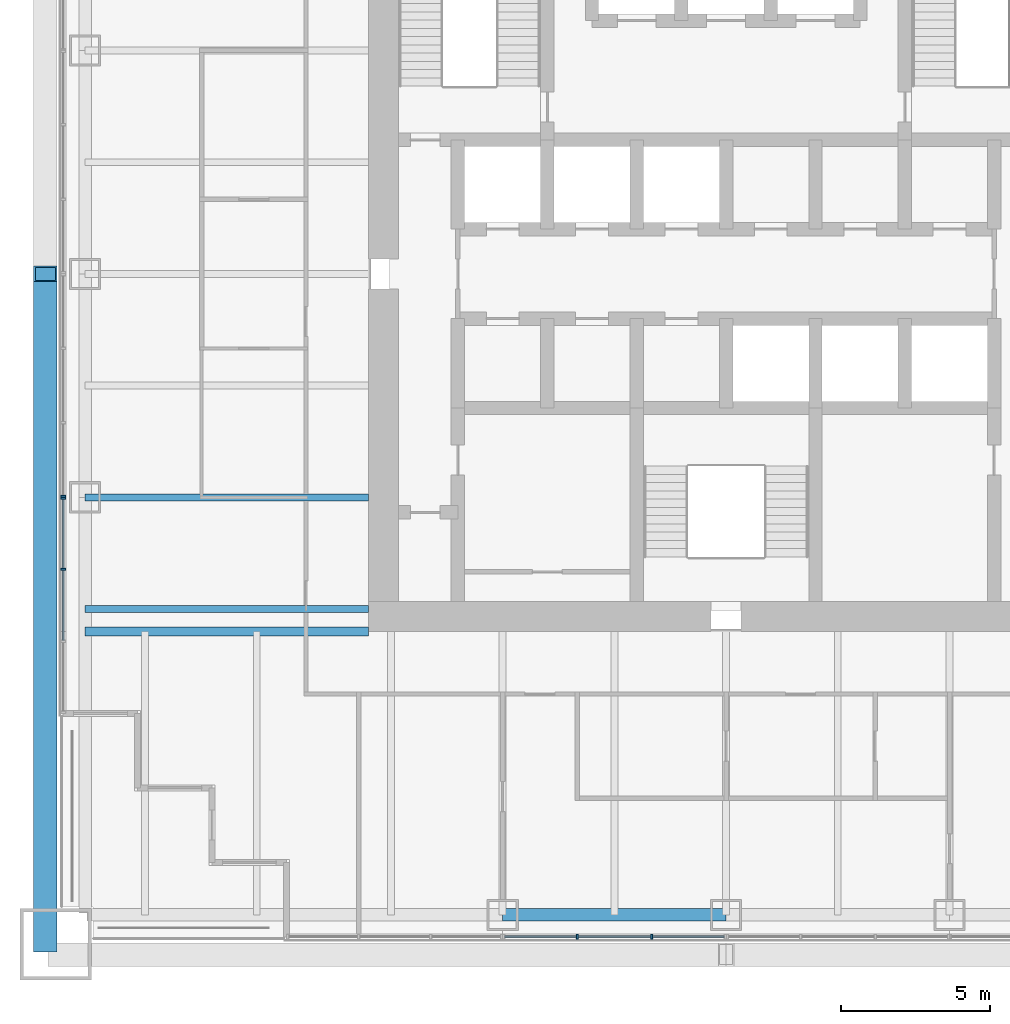
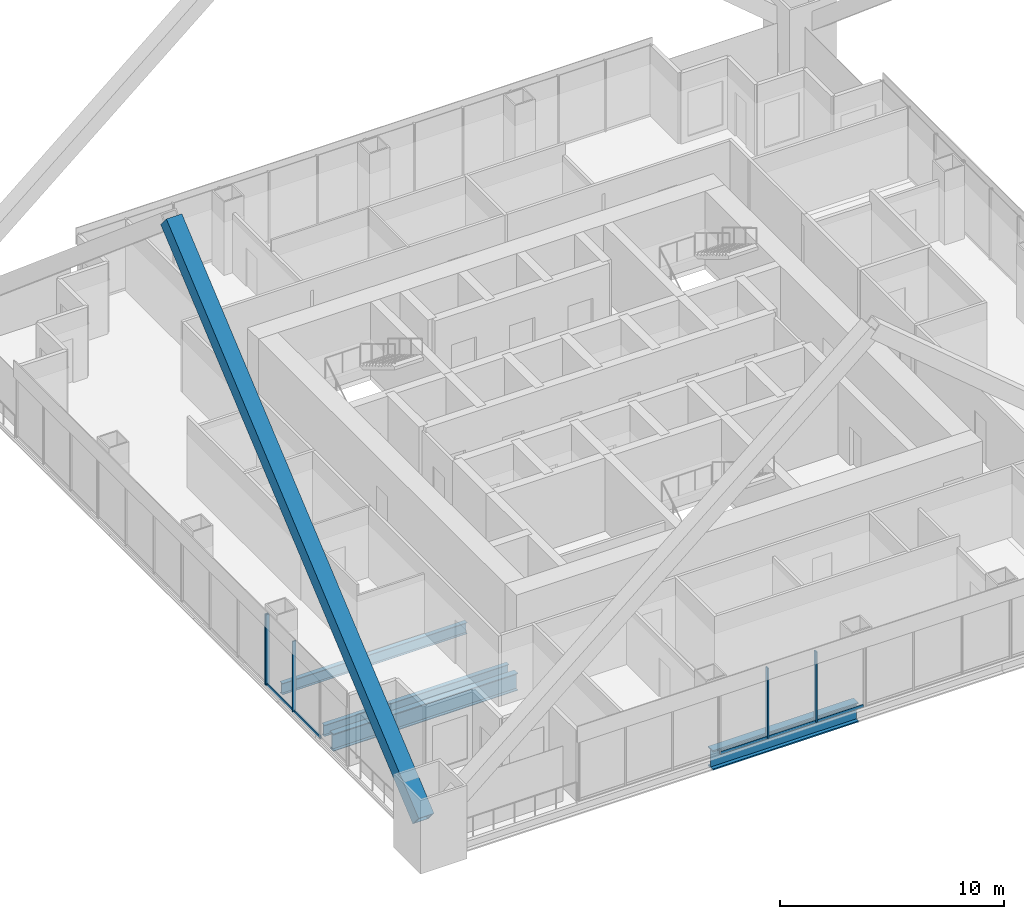
# One storey, part 3 of 19: 11 members, 4 beams, 3 elements without a shape of their own.
"""IFC4 building model written with IfcOpenShell, lengths in metres."""

import ifcopenshell
import ifcopenshell.guid

model = None  # the IFC model being written
_history = None  # IfcOwnerHistory: only IFC2X3 demands one
_inside = {}  # id of a spatial element -> (the spatial element, [elements in it])
_under = {}  # id of a project, library or spatial element -> (it, [spatial elements below it])
_declared = {}  # id of a project -> (the project, [libraries it declares])
_typed = {}  # id of a type object -> (the type object, [elements of that type])
_made_of = {}  # id of a material, layer set ... -> (it, [elements and type objects made of it])


def new_model(schema):
    """Start an empty IFC model of exactly this schema.

    Asked for "IFC4X3", IfcOpenShell would pick the latest addendum, in which some entities
    have other attributes; the version numbers below select the first issue.
    IFC2X3 requires an IfcOwnerHistory on every rooted entity: one is made here for all.
    """
    global model, _history
    if schema == "IFC4X3":
        model = ifcopenshell.file(schema_version=(4, 3, 0, 0))
    else:
        model = ifcopenshell.file(schema=schema)
    _inside.clear()
    _under.clear()
    _declared.clear()
    _typed.clear()
    _made_of.clear()
    _history = None
    if model.schema == "IFC2X3":
        org = make("IfcOrganization", Name="unknown")
        user = make(
            "IfcPersonAndOrganization",
            ThePerson=make("IfcPerson", FamilyName="unknown"),
            TheOrganization=org,
        )
        app = make(
            "IfcApplication",
            ApplicationDeveloper=org,
            Version="unknown",
            ApplicationFullName="unknown",
            ApplicationIdentifier="unknown",
        )
        _history = make(
            "IfcOwnerHistory",
            OwningUser=user,
            OwningApplication=app,
            ChangeAction="ADDED",
            CreationDate=0,
        )
    return model


def make(cls, **values):
    """One entity of the class cls with the attributes given. An attribute that is None is left unset."""
    return model.create_entity(
        cls, **{name: value for name, value in values.items() if value is not None}
    )


def rooted(cls, **values):
    """An entity with a GlobalId (a new one), such as an element, a storey or a relation."""
    return make(cls, GlobalId=ifcopenshell.guid.new(), OwnerHistory=_history, **values)


def si_unit(unit_type, name, prefix=None):
    """IfcSIUnit, for example si_unit("LENGTHUNIT", "METRE", prefix="MILLI")."""
    return make("IfcSIUnit", UnitType=unit_type, Prefix=prefix, Name=name)


def assignment(units):
    """IfcUnitAssignment: the units of a project."""
    return None if units is None else make("IfcUnitAssignment", Units=units)


def point(xyz):
    """IfcCartesianPoint."""
    return None if xyz is None else make("IfcCartesianPoint", Coordinates=xyz)


def direction(xyz):
    """IfcDirection."""
    return None if xyz is None else make("IfcDirection", DirectionRatios=xyz)


def frame(location, z_axis=None, x_axis=None):
    """IfcAxis2Placement3D, a coordinate frame: its origin and axes. An axis left out is left unset."""
    return make(
        "IfcAxis2Placement3D",
        Location=point(location),
        Axis=direction(z_axis),
        RefDirection=direction(x_axis),
    )


def frame_2d(location, x_axis=None):
    """IfcAxis2Placement2D, a coordinate frame in the plane: its origin and x axis."""
    return make(
        "IfcAxis2Placement2D", Location=point(location), RefDirection=direction(x_axis)
    )


def origin():
    """The frame at (0, 0, 0) with its axes left unset."""
    return frame((0.0, 0.0, 0.0))


def origin_2d():
    """The frame at (0, 0) in the plane with its x axis left unset."""
    return frame_2d((0.0, 0.0))


def place(relative_to, where):
    """IfcLocalPlacement: puts the frame where relative to a parent placement (None: the world)."""
    return make(
        "IfcLocalPlacement", PlacementRelTo=relative_to, RelativePlacement=where
    )


def context(
    kind, dimensions, precision=None, world=None, true_north=None, identifier=None
):
    """IfcGeometricRepresentationContext, for example the 3D "Model" context."""
    return make(
        "IfcGeometricRepresentationContext",
        ContextIdentifier=identifier,
        ContextType=kind,
        CoordinateSpaceDimension=dimensions,
        Precision=precision,
        WorldCoordinateSystem=world,
        TrueNorth=true_north,
    )


def subcontext(parent, identifier, kind, view, scale=None):
    """IfcGeometricRepresentationSubContext, for example "Body" below "Model"."""
    return make(
        "IfcGeometricRepresentationSubContext",
        ContextIdentifier=identifier,
        ContextType=kind,
        ParentContext=parent,
        TargetScale=scale,
        TargetView=view,
    )


def project(units=None, contexts=None):
    """IfcProject with its units and contexts."""
    return rooted(
        "IfcProject",
        Name="project",
        RepresentationContexts=contexts,
        UnitsInContext=assignment(units),
    )


def spatial(cls, under=None, at=None, **own):
    """A site, building, storey or space (cls), placed at a placement, below another one or the project."""
    s = rooted(cls, ObjectPlacement=at, **own)
    if under is not None:
        _under.setdefault(under.id(), (under, []))[1].append(s)
    return s


def profile(cls, at=None, kind="AREA", **sizes):
    """A parametric profile (cls). Its sizes go by their IFC names, for example OverallWidth=200.0."""
    return make(cls, ProfileType=kind, Position=at, **sizes)


def rectangle(**sizes):
    """IfcRectangleProfileDef."""
    return profile("IfcRectangleProfileDef", **sizes)


def hollow_rectangle(**sizes):
    """IfcRectangleHollowProfileDef."""
    return profile("IfcRectangleHollowProfileDef", **sizes)


def i_section(**sizes):
    """IfcIShapeProfileDef."""
    return profile("IfcIShapeProfileDef", **sizes)


def extrude(swept, where, along, depth):
    """IfcExtrudedAreaSolid: the profile swept, set in the frame where, extruded along a direction by depth."""
    return make(
        "IfcExtrudedAreaSolid",
        SweptArea=swept,
        Position=where,
        ExtrudedDirection=direction(along),
        Depth=depth,
    )


def shape(context_of_items, identifier, shape_type, items):
    """IfcShapeRepresentation: the items that make up one representation, for example the "Body"."""
    return make(
        "IfcShapeRepresentation",
        ContextOfItems=context_of_items,
        RepresentationIdentifier=identifier,
        RepresentationType=shape_type,
        Items=items,
    )


def material(Name=None, Category=None):
    """IfcMaterial."""
    return make("IfcMaterial", Name=Name, Category=Category)


def material_profile(
    of_material, cross_section, Name=None, Category=None, Priority=None
):
    """IfcMaterialProfile: a cross section and its material."""
    return make(
        "IfcMaterialProfile",
        Name=Name,
        Material=of_material,
        Profile=cross_section,
        Priority=Priority,
        Category=Category,
    )


def profile_set(profiles, Name=None, composite=None):
    """IfcMaterialProfileSet."""
    return make(
        "IfcMaterialProfileSet",
        Name=Name,
        MaterialProfiles=profiles,
        CompositeProfile=composite,
    )


def made_of(thing, what):
    """Note that an element or type object is made of a material, layer set ...; save() writes the relation."""
    if what is not None:
        _made_of.setdefault(what.id(), (what, []))[1].append(thing)
    return thing


def type_object(cls, material=None, **own):
    """A type object (cls), such as IfcWallType, which elements share."""
    return made_of(rooted(cls, **own), material)


def element(
    cls,
    number,
    at=None,
    inside=None,
    cuts=None,
    type_object=None,
    material=None,
    context=None,
    identifier="Body",
    shape_type=None,
    held_by="IfcProductDefinitionShape",
    body=None,
    shapes=None,
    **own,
):
    """One element of the class cls, such as IfcWall. Its Tag is "e" and its number.

    at: its placement. inside: the storey or other place that contains it. cuts: it is an
    opening in that element (IfcRelVoidsElement). A single representation is given by context,
    identifier, shape_type and body (its items); several are given by shapes. held_by: the class
    of the entity that holds the representations. save() writes the other relations.
    """
    e = rooted(cls, Tag="e%d" % number, ObjectPlacement=at, **own)
    if body is not None:
        shapes = [shape(context, identifier, shape_type, body)]
    if shapes is not None:
        e.Representation = make(held_by, Representations=shapes)
    if inside is not None:
        _inside.setdefault(inside.id(), (inside, []))[1].append(e)
    if cuts is not None:
        rooted(
            "IfcRelVoidsElement", RelatingBuildingElement=cuts, RelatedOpeningElement=e
        )
    if type_object is not None:
        _typed.setdefault(type_object.id(), (type_object, []))[1].append(e)
    return made_of(e, material)


def aggregate(whole, parts):
    """IfcRelAggregates: a whole, such as a stair, and the parts it consists of."""
    return rooted("IfcRelAggregates", RelatingObject=whole, RelatedObjects=parts)


def save(model, path):
    """Write the relations noted so far, then the file.

    IfcRelAggregates (storeys below a building ...), IfcRelContainedInSpatialStructure (elements
    in a storey), IfcRelDefinesByType, IfcRelAssociatesMaterial and IfcRelDeclares: one each for
    every whole, place, type object, material and project.
    """
    for whole, parts in _under.values():
        aggregate(whole, parts)
    for where, things in _inside.values():
        rooted(
            "IfcRelContainedInSpatialStructure",
            RelatedElements=things,
            RelatingStructure=where,
        )
    for kind, things in _typed.values():
        rooted("IfcRelDefinesByType", RelatedObjects=things, RelatingType=kind)
    for what, things in _made_of.values():
        rooted("IfcRelAssociatesMaterial", RelatedObjects=things, RelatingMaterial=what)
    for by, libraries in _declared.values():
        rooted("IfcRelDeclares", RelatingContext=by, RelatedDefinitions=libraries)
    model.write(path)


model = new_model("IFC4")

# Units and contexts
model_context = context("Model", 3, precision=1e-05, world=origin(), true_north=direction((0.0, 1.0)))
body_context = subcontext(model_context, "Body", "Model", "MODEL_VIEW")
ifc_project = project(units=[si_unit("LENGTHUNIT", "METRE"), si_unit("AREAUNIT", "SQUARE_METRE"), si_unit("VOLUMEUNIT", "CUBIC_METRE"), si_unit("PLANEANGLEUNIT", "RADIAN"), si_unit("MASSUNIT", "GRAM", prefix="KILO")], contexts=[model_context])

# Site, building, storey
site_placement = place(None, origin())
site = spatial("IfcSite", under=ifc_project, at=site_placement, CompositionType="ELEMENT")
building_placement = place(site_placement, origin())
building = spatial("IfcBuilding", under=site, at=building_placement, Name="Tarangal Relay Tower", CompositionType="ELEMENT")
storey_placement = place(building_placement, frame((0.0, 0.0, 213.89990234375)))
storey = spatial("IfcBuildingStorey", under=building, at=storey_placement, Name="L45", CompositionType="ELEMENT", Elevation=213.89990234375)

# Beams
ifc_material_1 = material(Name="Steel ASTM A992", Category="steel")
ifc_material_profile_1 = material_profile(ifc_material_1, i_section(OverallWidth=0.307373046875, OverallDepth=0.9423828125, WebThickness=0.022216796875, FlangeThickness=0.039794921875, at=origin_2d()), Name="W36X232")
ifc_profile_set_1 = profile_set([ifc_material_profile_1], Name="Steel ASTM A992")
beam_type_1 = type_object("IfcBeamType", Name="Corner girder W36X232", PredefinedType="BEAM", material=ifc_profile_set_1)
beam_1_placement = place(storey_placement, frame((-12.0, -12.0, -0.62109375), z_axis=(-1.0, 0.0, 0.0), x_axis=(0.0, -1.0, 0.0)))
element("IfcBeam", 1, at=beam_1_placement, inside=storey, type_object=beam_type_1, Name="Corner girder CG4 S L45", PredefinedType="BEAM", context=body_context, shape_type="SweptSolid", body=[
    extrude(i_section(OverallWidth=0.307373046875, OverallDepth=0.9423828125, WebThickness=0.022216796875, FlangeThickness=0.039794921875, at=origin_2d()), origin(), (0.0, 0.0, 1.0), 9.514892578125),
])
ifc_material_profile_2 = material_profile(ifc_material_1, i_section(OverallWidth=0.41650390625, OverallDepth=1.0693359375, WebThickness=0.0390625, FlangeThickness=0.070068359375, at=origin_2d()), Name="W40X503")
ifc_profile_set_2 = profile_set([ifc_material_profile_2], Name="Steel ASTM A992")
beam_type_2 = type_object("IfcBeamType", Name="Edge girder W40X503", PredefinedType="SPANDREL", material=ifc_profile_set_2)
beam_2_placement = place(storey_placement, frame((0.0, -21.514892578125, -0.6845703125), z_axis=(-1.0, 0.0, 0.0), x_axis=(0.0, -1.0, 0.0)))
element("IfcBeam", 2, at=beam_2_placement, inside=storey, type_object=beam_type_2, Name="Edge girder EG8 S L45", PredefinedType="SPANDREL", context=body_context, shape_type="SweptSolid", body=[
    extrude(i_section(OverallWidth=0.41650390625, OverallDepth=1.0693359375, WebThickness=0.0390625, FlangeThickness=0.070068359375, at=origin_2d()), origin(), (0.0, 0.0, 1.0), 7.5),
])
ifc_material_profile_3 = material_profile(ifc_material_1, i_section(OverallWidth=0.22900390625, OverallDepth=0.612060546875, WebThickness=0.011962890625, FlangeThickness=0.01953125, at=origin_2d()), Name="W24X84")
ifc_profile_set_3 = profile_set([ifc_material_profile_3], Name="Steel ASTM A992")
beam_type_3 = type_object("IfcBeamType", Name="Floor beam W24X84", PredefinedType="BEAM", material=ifc_profile_set_3)
for number, where, z_axis, x_axis, name in (
    (3, (-12.0, -11.25, -0.455810546875), (-1.0, 0.0, 0.0), (0.0, -1.0, 0.0), "Floor beam RB12 W L45"),
    (4, (-12.0, -7.5, -0.455810546875), (-1.0, 0.0, 0.0), (0.0, -1.0, 0.0), "Floor beam RB12 W L45"),
):
    element("IfcBeam", number, at=place(storey_placement, frame(where, z_axis=z_axis, x_axis=x_axis)), inside=storey, type_object=beam_type_3, Name=name, PredefinedType="BEAM", context=body_context, shape_type="SweptSolid", body=[
        extrude(i_section(OverallWidth=0.22900390625, OverallDepth=0.612060546875, WebThickness=0.011962890625, FlangeThickness=0.01953125, at=origin_2d()), origin(), (0.0, 0.0, 1.0), 9.514892578125),
    ])

# Member
ifc_material_2 = material(Name="Steel ASTM A572 Grade 50", Category="steel")
ifc_material_profile_4 = material_profile(ifc_material_2, hollow_rectangle(XDim=0.800048828125, YDim=0.800048828125, WallThickness=0.06494140625, at=origin_2d()), Name="BOX800X800X65")
ifc_profile_set_4 = profile_set([ifc_material_profile_4], Name="Steel ASTM A572 Grade 50")
member_type_1 = type_object("IfcMemberType", Name="Mega brace BOX800X800X65", PredefinedType="BRACE", material=ifc_profile_set_4)
member_1_placement = place(storey_placement, frame((-22.85009765625, -22.5, 2.0), z_axis=(0.0, 0.764029915847, 0.645180817826), x_axis=(-1.0, 0.0, 0.0)))
element("IfcMember", 5, at=member_1_placement, inside=storey, type_object=member_type_1, Name="Mega brace MB3 W face module 2", PredefinedType="BRACE", context=body_context, shape_type="SweptSolid", body=[
    extrude(hollow_rectangle(XDim=0.800048828125, YDim=0.800048828125, WallThickness=0.06494140625, at=origin_2d()), origin(), (0.0, 0.0, 1.0), 29.44921875),
])

# Curtain wall, members
ifc_material_3 = material(Name="Unitised curtain wall, dark glass and black aluminium", Category="aluminium")
curtain_wall_type = type_object("IfcCurtainWallType", Name="Curtain wall CW-A", PredefinedType="USERDEFINED", material=ifc_material_3)
curtain_wall_1_placement = place(storey_placement, origin())
curtain_wall_1 = element("IfcCurtainWall", 6, at=curtain_wall_1_placement, inside=storey, type_object=curtain_wall_type, Name="Curtain wall CW-A S facade L45", ObjectType="UNITISED CURTAIN WALL", PredefinedType="USERDEFINED")
ifc_material_4 = material(Name="Black anodised aluminium mullion", Category="aluminium")
ifc_material_profile_5 = material_profile(ifc_material_4, rectangle(XDim=0.175048828125, YDim=0.06494140625, at=origin_2d()), Name="CW-AM 65X175")
ifc_profile_set_5 = profile_set([ifc_material_profile_5], Name="Black anodised aluminium mullion")
member_type_2 = type_object("IfcMemberType", Name="Mullion CW-A 65 x 175", PredefinedType="MULLION", material=ifc_profile_set_5)
member_2_placement = place(storey_placement, frame((-2.5, -22.25, 0.0), z_axis=(0.0, 0.0, 1.0), x_axis=(0.0, -1.0, 0.0)))
member_2 = element("IfcMember", 7, at=member_2_placement, type_object=member_type_2, Name="CW-A mullion 2", PredefinedType="MULLION", context=body_context, shape_type="SweptSolid", body=[
    extrude(rectangle(XDim=0.175048828125, YDim=0.06494140625, at=origin_2d()), origin(), (0.0, 0.0, 1.0), 3.85009765625),
])
member_3_placement = place(storey_placement, frame((-5.0, -22.25, 0.0), z_axis=(0.0, 0.0, 1.0), x_axis=(0.0, -1.0, 0.0)))
member_3 = element("IfcMember", 8, at=member_3_placement, type_object=member_type_2, Name="CW-A mullion 3", PredefinedType="MULLION", context=body_context, shape_type="SweptSolid", body=[
    extrude(rectangle(XDim=0.175048828125, YDim=0.06494140625, at=origin_2d()), origin(), (0.0, 0.0, 1.0), 3.85009765625),
])

curtain_wall_2_placement = place(storey_placement, origin())
curtain_wall_2 = element("IfcCurtainWall", 9, at=curtain_wall_2_placement, inside=storey, type_object=curtain_wall_type, Name="Curtain wall CW-A W facade L45", ObjectType="UNITISED CURTAIN WALL", PredefinedType="USERDEFINED")
member_4_placement = place(storey_placement, frame((-22.25, -9.916748046875, 0.0), z_axis=(0.0, 0.0, 1.0), x_axis=(-1.0, 0.0, 0.0)))
member_4 = element("IfcMember", 10, at=member_4_placement, type_object=member_type_2, Name="CW-A mullion 3", PredefinedType="MULLION", context=body_context, shape_type="SweptSolid", body=[
    extrude(rectangle(XDim=0.175048828125, YDim=0.06494140625, at=origin_2d()), origin(), (0.0, 0.0, 1.0), 3.85009765625),
])
member_5_placement = place(storey_placement, frame((-22.25, -7.532470703125, 0.0), z_axis=(0.0, 0.0, 1.0), x_axis=(-1.0, 0.0, 0.0)))
member_5 = element("IfcMember", 11, at=member_5_placement, type_object=member_type_2, Name="CW-A mullion 4", PredefinedType="MULLION", context=body_context, shape_type="SweptSolid", body=[
    extrude(rectangle(XDim=0.175048828125, YDim=0.06494140625, at=origin_2d()), origin(), (0.0, 0.0, 1.0), 3.85009765625),
])

# Curtain wall, member
curtain_wall_3_placement = place(storey_placement, origin())
curtain_wall_3 = element("IfcCurtainWall", 12, at=curtain_wall_3_placement, inside=storey, type_object=curtain_wall_type, Name="Curtain wall CW-A W facade L45", ObjectType="UNITISED CURTAIN WALL", PredefinedType="USERDEFINED")
member_6_placement = place(storey_placement, frame((-22.25, -7.467529296875, 0.0), z_axis=(0.0, 0.0, 1.0), x_axis=(-1.0, 0.0, 0.0)))
member_6 = element("IfcMember", 13, at=member_6_placement, type_object=member_type_2, Name="CW-A mullion 1", PredefinedType="MULLION", context=body_context, shape_type="SweptSolid", body=[
    extrude(rectangle(XDim=0.175048828125, YDim=0.06494140625, at=origin_2d()), origin(), (0.0, 0.0, 1.0), 3.85009765625),
])
aggregate(curtain_wall_3, [member_6])

# Member
ifc_material_5 = material(Name="Black anodised aluminium transom", Category="aluminium")
ifc_material_profile_6 = material_profile(ifc_material_5, rectangle(XDim=0.06494140625, YDim=0.14990234375, at=origin_2d()), Name="CW-AT 65X150")
ifc_profile_set_6 = profile_set([ifc_material_profile_6], Name="Black anodised aluminium transom")
member_type_3 = type_object("IfcMemberType", Name="Transom CW-A 65 x 150", PredefinedType="USERDEFINED", material=ifc_profile_set_6)
member_7_placement = place(storey_placement, frame((-0.06494140625, -22.25, 0.03271484375), z_axis=(-1.0, 0.0, 0.0), x_axis=(0.0, -1.0, 0.0)))
member_7 = element("IfcMember", 14, at=member_7_placement, type_object=member_type_3, Name="CW-A transom 1.1", ObjectType="TRANSOM", PredefinedType="USERDEFINED", context=body_context, shape_type="SweptSolid", body=[
    extrude(rectangle(XDim=0.06494140625, YDim=0.14990234375, at=origin_2d()), origin(), (0.0, 0.0, 1.0), 2.402587890625),
])

member_8_placement = place(storey_placement, frame((-2.532470703125, -22.25, 0.03271484375), z_axis=(-1.0, 0.0, 0.0), x_axis=(0.0, -1.0, 0.0)))
member_8 = element("IfcMember", 15, at=member_8_placement, type_object=member_type_3, Name="CW-A transom 2.1", ObjectType="TRANSOM", PredefinedType="USERDEFINED", context=body_context, shape_type="SweptSolid", body=[
    extrude(rectangle(XDim=0.06494140625, YDim=0.14990234375, at=origin_2d()), origin(), (0.0, 0.0, 1.0), 2.43505859375),
])

member_9_placement = place(storey_placement, frame((-5.032470703125, -22.25, 0.03271484375), z_axis=(-1.0, 0.0, 0.0), x_axis=(0.0, -1.0, 0.0)))
member_9 = element("IfcMember", 16, at=member_9_placement, type_object=member_type_3, Name="CW-A transom 3.1", ObjectType="TRANSOM", PredefinedType="USERDEFINED", context=body_context, shape_type="SweptSolid", body=[
    extrude(rectangle(XDim=0.06494140625, YDim=0.14990234375, at=origin_2d()), origin(), (0.0, 0.0, 1.0), 2.402587890625),
])

aggregate(curtain_wall_1, [member_2, member_3, member_7, member_8, member_9])

member_10_placement = place(storey_placement, frame((-22.25, -12.30078125, 0.03271484375), z_axis=(0.0, 1.0, 0.0), x_axis=(-1.0, 0.0, 0.0)))
member_10 = element("IfcMember", 17, at=member_10_placement, type_object=member_type_3, Name="CW-A transom 2.1", ObjectType="TRANSOM", PredefinedType="USERDEFINED", context=body_context, shape_type="SweptSolid", body=[
    extrude(rectangle(XDim=0.06494140625, YDim=0.14990234375, at=origin_2d()), origin(), (0.0, 0.0, 1.0), 2.3515625),
])

member_11_placement = place(storey_placement, frame((-22.25, -9.88427734375, 0.03271484375), z_axis=(0.0, 1.0, 0.0), x_axis=(-1.0, 0.0, 0.0)))
member_11 = element("IfcMember", 18, at=member_11_placement, type_object=member_type_3, Name="CW-A transom 3.1", ObjectType="TRANSOM", PredefinedType="USERDEFINED", context=body_context, shape_type="SweptSolid", body=[
    extrude(rectangle(XDim=0.06494140625, YDim=0.14990234375, at=origin_2d()), origin(), (0.0, 0.0, 1.0), 2.3193359375),
])

aggregate(curtain_wall_2, [member_4, member_5, member_10, member_11])

save(model, "model.ifc")
